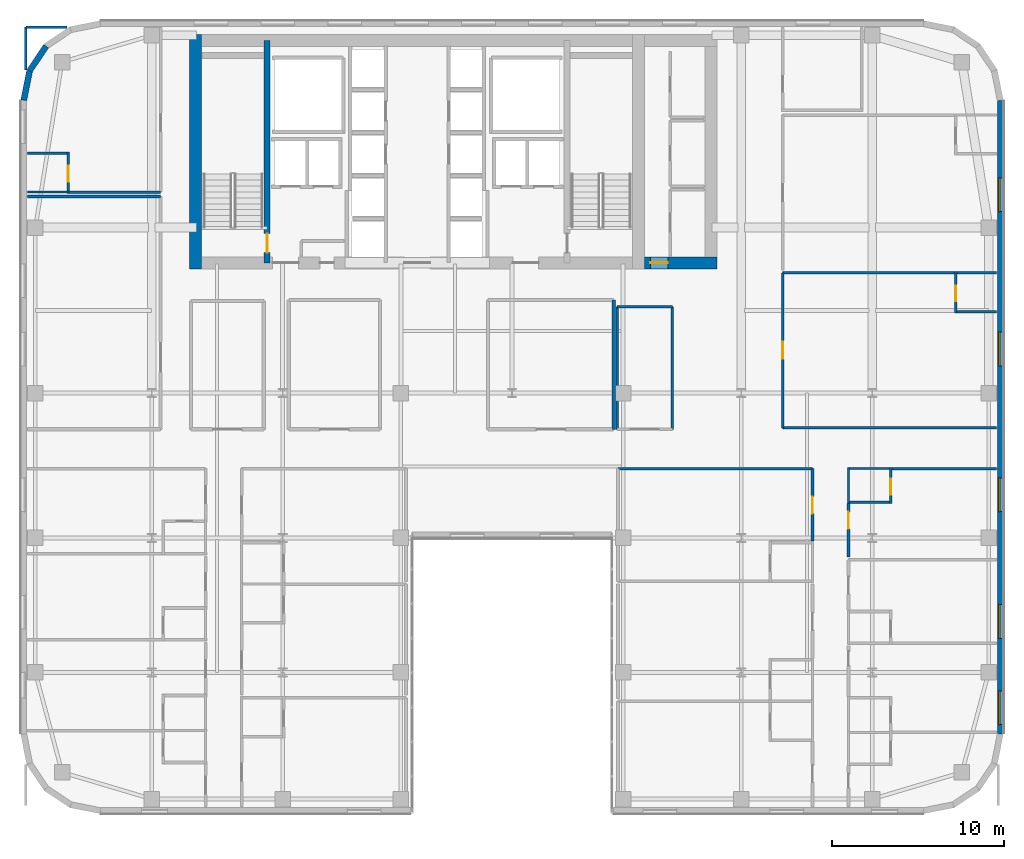
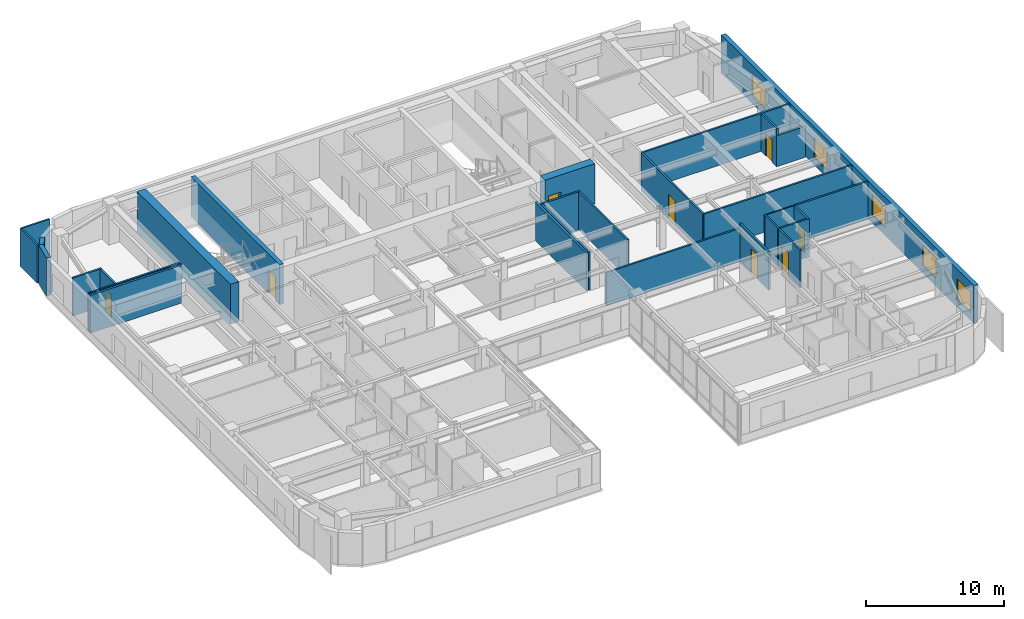
# One storey, part 17 of 25: 31 walls, 8 doors, 5 windows, 13 openings.
"""IFC4 building model written with IfcOpenShell, lengths in metres."""

from ifc_helpers import new_model, si_unit, direction, frame, frame_2d, origin, place, context, subcontext, project, spatial, rectangle, extrude, source, transform, mapped, material, layer, layer_set, type_object, type_shapes, element, fill, save


model = new_model("IFC4")

# Units and contexts
model_context = context("Model", 3, precision=1e-05, world=origin(), true_north=direction((0.0, 1.0)))
body_context = subcontext(model_context, "Body", "Model", "MODEL_VIEW")
ifc_project = project(units=[si_unit("LENGTHUNIT", "METRE"), si_unit("AREAUNIT", "SQUARE_METRE"), si_unit("VOLUMEUNIT", "CUBIC_METRE"), si_unit("PLANEANGLEUNIT", "RADIAN"), si_unit("MASSUNIT", "GRAM", prefix="KILO")], contexts=[model_context])

# Site, building, storey
site_placement = place(None, origin())
site = spatial("IfcSite", under=ifc_project, at=site_placement, CompositionType="ELEMENT")
building_placement = place(site_placement, origin())
building = spatial("IfcBuilding", under=site, at=building_placement, Name="Tolvann Quenvar Hotel", CompositionType="ELEMENT")
storey_placement = place(building_placement, frame((0.0, 0.0, 132.85009765625)))
storey = spatial("IfcBuildingStorey", under=building, at=storey_placement, Name="L34", CompositionType="ELEMENT", Elevation=132.85009765625)

# Wall
ifc_material_1 = material(Name="Concrete S65 (65 MPa)", Category="concrete")
ifc_layer_1 = layer(ifc_material_1, 0.699951171875)
ifc_layer_set_1 = layer_set([ifc_layer_1], Name="Concrete S65 (65 MPa)")
wall_type_1 = type_object("IfcWallType", Name="WALL_CORE_700", PredefinedType="SHEAR", material=ifc_layer_set_1)
wall_1_placement = place(storey_placement, frame((10.14990234375, 31.60009765625, 0.0), z_axis=(0.0, 0.0, 1.0), x_axis=(0.0, 1.0, 0.0)))
element("IfcWall", 1, at=wall_1_placement, inside=storey, type_object=wall_type_1, Name="Rear Core W Shear Wall (L34)", PredefinedType="SHEAR", context=body_context, shape_type="SweptSolid", body=[
    extrude(rectangle(XDim=13.599853515625, YDim=0.699951171875, at=frame_2d((6.7998046875, 0.0))), origin(), (0.0, 0.0, 1.0), 3.5498046875),
])

# Wall, opening, door
wall_2_placement = place(storey_placement, frame((36.199951171875, 31.949951171875, 0.0), z_axis=(0.0, 0.0, 1.0), x_axis=(1.0, 0.0, 0.0)))
wall_2 = element("IfcWall", 2, at=wall_2_placement, inside=storey, type_object=wall_type_1, Name="Core East Annex Shear Wall ANN-S (L34)", PredefinedType="SHEAR", context=body_context, shape_type="SweptSolid", body=[
    extrude(rectangle(XDim=4.199951171875, YDim=0.699951171875, at=frame_2d((2.10009765625, 0.0))), origin(), (0.0, 0.0, 1.0), 3.5498046875),
])
opening_1_placement = place(wall_2_placement, frame((1.340087890625, 0.0, 0.0), z_axis=(0.0, 0.0, 1.0), x_axis=(-1.0, 0.0, 0.0)))
opening_1 = element("IfcOpeningElement", 3, at=opening_1_placement, cuts=wall_2, Name="Opening HD-01", PredefinedType="OPENING", context=body_context, shape_type="SweptSolid", body=[
    extrude(rectangle(XDim=1.02001953125, YDim=2.030029296875, at=frame_2d((0.510009765625, 1.01513671875))), frame((0.0, 0.35986328125, 0.0), z_axis=(0.0, -1.0, 0.0), x_axis=(1.0, 0.0, 0.0)), (0.0, 0.0, 1.0), 0.719970703125),
])
ifc_material_2 = material(Name="Pressed galvanised steel fire-rated door set", Category="steel")
door_type_1 = type_object("IfcDoorType", Name="DOOR_BOH_1020", OperationType="NOTDEFINED", PredefinedType="DOOR", material=ifc_material_2)
shared_shape_1 = source(origin(), body_context, "Body", "SweptSolid", [
    extrude(rectangle(XDim=1.02001953125, YDim=2.030029296875, at=frame_2d((0.510009765625, 1.01513671875))), frame((0.0, 0.02490234375, 0.0), z_axis=(0.0, -1.0, 0.0), x_axis=(1.0, 0.0, 0.0)), (0.0, 0.0, 1.0), 0.050048828125),
])
type_shapes(door_type_1, [shared_shape_1])
door_1_placement = place(opening_1_placement, origin())
door_1 = element("IfcDoor", 4, at=door_1_placement, inside=storey, type_object=door_type_1, Name="Housekeeping Annex Fire Door (L34)", OperationType="SINGLE_SWING_RIGHT", OverallHeight=2.030029296875, OverallWidth=1.02001953125, PredefinedType="DOOR", context=body_context, shape_type="MappedRepresentation", body=[
    mapped(shared_shape_1, transform((0.0, 0.0, 0.0), x_axis=(1.0, 0.0, 0.0), y_axis=(0.0, 1.0, 0.0), z_axis=(0.0, 0.0, 1.0), scale=1.0)),
])
fill(opening_1, door_1)

ifc_layer_2 = layer(ifc_material_1, 0.35009765625)
ifc_layer_set_2 = layer_set([ifc_layer_2], Name="Concrete S65 (65 MPa)")
wall_type_2 = type_object("IfcWallType", Name="WALL_CORE_INT_350", PredefinedType="SHEAR", material=ifc_layer_set_2)
wall_3_placement = place(storey_placement, frame((14.300048828125, 31.949951171875, 0.0), z_axis=(0.0, 0.0, 1.0), x_axis=(0.0, 1.0, 0.0)))
wall_3 = element("IfcWall", 5, at=wall_3_placement, inside=storey, type_object=wall_type_2, Name="Core Internal Web Shear Wall WEB-W (L34)", PredefinedType="SHEAR", context=body_context, shape_type="SweptSolid", body=[
    extrude(rectangle(XDim=12.900146484375, YDim=0.35009765625, at=frame_2d((6.4501953125, 0.0))), origin(), (0.0, 0.0, 1.0), 3.5498046875),
])
opening_2_placement = place(wall_3_placement, frame((0.60009765625, 0.0, 0.0)))
opening_2 = element("IfcOpeningElement", 6, at=opening_2_placement, cuts=wall_3, Name="Opening FD-120", PredefinedType="OPENING", context=body_context, shape_type="SweptSolid", body=[
    extrude(rectangle(XDim=1.10009765625, YDim=2.1201171875, at=frame_2d((0.550048828125, 1.06005859375))), frame((0.0, 0.18505859375, 0.0), z_axis=(0.0, -1.0, 0.0), x_axis=(1.0, 0.0, 0.0)), (0.0, 0.0, 1.0), 0.3701171875),
])
door_type_2 = type_object("IfcDoorType", Name="DOOR_FIRE_STAIR_1100", OperationType="NOTDEFINED", PredefinedType="DOOR", material=ifc_material_2)
shared_shape_2 = source(origin(), body_context, "Body", "SweptSolid", [
    extrude(rectangle(XDim=1.10009765625, YDim=2.1201171875, at=frame_2d((0.550048828125, 1.06005859375))), frame((0.0, 0.02490234375, 0.0), z_axis=(0.0, -1.0, 0.0), x_axis=(1.0, 0.0, 0.0)), (0.0, 0.0, 1.0), 0.050048828125),
])
type_shapes(door_type_2, [shared_shape_2])
door_2_placement = place(opening_2_placement, origin())
door_2 = element("IfcDoor", 7, at=door_2_placement, inside=storey, type_object=door_type_2, Name="Exit Stair ST-C1 Fire Door (L34)", OperationType="SINGLE_SWING_LEFT", OverallHeight=2.1201171875, OverallWidth=1.10009765625, PredefinedType="DOOR", context=body_context, shape_type="MappedRepresentation", body=[
    mapped(shared_shape_2, transform((0.0, 0.0, 0.0), x_axis=(1.0, 0.0, 0.0), y_axis=(0.0, 1.0, 0.0), z_axis=(0.0, 0.0, 1.0), scale=1.0)),
])
fill(opening_2, door_2)

# Wall, openings, windows
ifc_material_3 = material(Name="Kiln-fired red and buff architectural clay brickwork and terracotta masonry", Category="masonry")
ifc_layer_3 = layer(ifc_material_3, 0.35009765625)
ifc_layer_set_3 = layer_set([ifc_layer_3], Name="Kiln-fired red and buff architectural clay brickwork and terracotta masonry")
wall_type_3 = type_object("IfcWallType", Name="WALL_EXT_BRICK_350", PredefinedType="SOLIDWALL", material=ifc_layer_set_3)
wall_4_placement = place(storey_placement, frame((56.824951171875, 4.6171875, 0.0), z_axis=(0.0, 0.0, 1.0), x_axis=(0.0, 1.0, 0.0)))
wall_4 = element("IfcWall", 8, at=wall_4_placement, inside=storey, type_object=wall_type_3, Name="Exterior Chicago Brick Wall L34-E13", PredefinedType="SOLIDWALL", context=body_context, shape_type="SweptSolid", body=[
    extrude(rectangle(XDim=36.765625, YDim=0.35009765625, at=frame_2d((18.3828125, 0.0))), origin(), (0.0, 0.0, 1.0), 3.369873046875),
])
opening_3_placement = place(wall_4_placement, frame((0.551025390625, 0.0, 0.679931640625)))
opening_3 = element("IfcOpeningElement", 9, at=opening_3_placement, cuts=wall_4, Name="Opening W-10", PredefinedType="OPENING", context=body_context, shape_type="SweptSolid", body=[
    extrude(rectangle(XDim=1.949951171875, YDim=1.820068359375, at=frame_2d((0.97509765625, 0.91015625))), frame((0.0, 0.18505859375, 0.0), z_axis=(0.0, -1.0, 0.0), x_axis=(1.0, 0.0, 0.0)), (0.0, 0.0, 1.0), 0.3701171875),
])
opening_4_placement = place(wall_4_placement, frame((5.552978515625, 0.0, 0.679931640625)))
opening_4 = element("IfcOpeningElement", 10, at=opening_4_placement, cuts=wall_4, Name="Opening W-10", PredefinedType="OPENING", context=body_context, shape_type="SweptSolid", body=[
    extrude(rectangle(XDim=1.949951171875, YDim=1.820068359375, at=frame_2d((0.97509765625, 0.91015625))), frame((0.0, 0.18505859375, 0.0), z_axis=(0.0, -1.0, 0.0), x_axis=(1.0, 0.0, 0.0)), (0.0, 0.0, 1.0), 0.3701171875),
])
opening_5_placement = place(wall_4_placement, frame((12.906005859375, 0.0, 0.679931640625)))
opening_5 = element("IfcOpeningElement", 11, at=opening_5_placement, cuts=wall_4, Name="Opening W-10", PredefinedType="OPENING", context=body_context, shape_type="SweptSolid", body=[
    extrude(rectangle(XDim=1.949951171875, YDim=1.820068359375, at=frame_2d((0.97509765625, 0.91015625))), frame((0.0, 0.18505859375, 0.0), z_axis=(0.0, -1.0, 0.0), x_axis=(1.0, 0.0, 0.0)), (0.0, 0.0, 1.0), 0.3701171875),
])
opening_6_placement = place(wall_4_placement, frame((21.360107421875, 0.0, 0.679931640625)))
opening_6 = element("IfcOpeningElement", 12, at=opening_6_placement, cuts=wall_4, Name="Opening W-10", PredefinedType="OPENING", context=body_context, shape_type="SweptSolid", body=[
    extrude(rectangle(XDim=1.949951171875, YDim=1.820068359375, at=frame_2d((0.97509765625, 0.91015625))), frame((0.0, 0.18505859375, 0.0), z_axis=(0.0, -1.0, 0.0), x_axis=(1.0, 0.0, 0.0)), (0.0, 0.0, 1.0), 0.3701171875),
])
opening_7_placement = place(wall_4_placement, frame((30.31298828125, 0.0, 0.679931640625)))
opening_7 = element("IfcOpeningElement", 13, at=opening_7_placement, cuts=wall_4, Name="Opening W-10", PredefinedType="OPENING", context=body_context, shape_type="SweptSolid", body=[
    extrude(rectangle(XDim=1.949951171875, YDim=1.820068359375, at=frame_2d((0.97509765625, 0.91015625))), frame((0.0, 0.18505859375, 0.0), z_axis=(0.0, -1.0, 0.0), x_axis=(1.0, 0.0, 0.0)), (0.0, 0.0, 1.0), 0.3701171875),
])
ifc_material_4 = material(Name="Thermally broken bronze-anodised aluminium frame with double low-E glazing", Category="aluminium")
window_type = type_object("IfcWindowType", Name="WIN_CLB_1950x1850", PartitioningType="DOUBLE_PANEL_VERTICAL", PredefinedType="WINDOW", material=ifc_material_4)
shared_shape_3 = source(origin(), body_context, "Body", "SweptSolid", [
    extrude(rectangle(XDim=1.949951171875, YDim=1.820068359375, at=frame_2d((0.97509765625, 0.91015625))), frame((0.0, 0.090087890625, 0.0), z_axis=(0.0, -1.0, 0.0), x_axis=(1.0, 0.0, 0.0)), (0.0, 0.0, 1.0), 0.06005859375),
])
type_shapes(window_type, [shared_shape_3])
window_1_placement = place(opening_3_placement, origin())
window_1 = element("IfcWindow", 14, at=window_1_placement, inside=storey, type_object=window_type, Name="Chicago Window W-10 (EW-L34-E13-W01)", OverallHeight=1.820068359375, OverallWidth=1.949951171875, PartitioningType="DOUBLE_PANEL_VERTICAL", PredefinedType="WINDOW", context=body_context, shape_type="MappedRepresentation", body=[
    mapped(shared_shape_3, transform((0.0, 0.0, 0.0), x_axis=(1.0, 0.0, 0.0), y_axis=(0.0, 1.0, 0.0), z_axis=(0.0, 0.0, 1.0), scale=1.0)),
])
fill(opening_3, window_1)
window_2_placement = place(opening_4_placement, origin())
window_2 = element("IfcWindow", 15, at=window_2_placement, inside=storey, type_object=window_type, Name="Chicago Window W-10 (EW-L34-E13-W02)", OverallHeight=1.820068359375, OverallWidth=1.949951171875, PartitioningType="DOUBLE_PANEL_VERTICAL", PredefinedType="WINDOW", context=body_context, shape_type="MappedRepresentation", body=[
    mapped(shared_shape_3, transform((0.0, 0.0, 0.0), x_axis=(1.0, 0.0, 0.0), y_axis=(0.0, 1.0, 0.0), z_axis=(0.0, 0.0, 1.0), scale=1.0)),
])
fill(opening_4, window_2)
window_3_placement = place(opening_5_placement, origin())
window_3 = element("IfcWindow", 16, at=window_3_placement, inside=storey, type_object=window_type, Name="Chicago Window W-10 (EW-L34-E13-W03)", OverallHeight=1.820068359375, OverallWidth=1.949951171875, PartitioningType="DOUBLE_PANEL_VERTICAL", PredefinedType="WINDOW", context=body_context, shape_type="MappedRepresentation", body=[
    mapped(shared_shape_3, transform((0.0, 0.0, 0.0), x_axis=(1.0, 0.0, 0.0), y_axis=(0.0, 1.0, 0.0), z_axis=(0.0, 0.0, 1.0), scale=1.0)),
])
fill(opening_5, window_3)
window_4_placement = place(opening_6_placement, origin())
window_4 = element("IfcWindow", 17, at=window_4_placement, inside=storey, type_object=window_type, Name="Chicago Window W-10 (EW-L34-E13-W04)", OverallHeight=1.820068359375, OverallWidth=1.949951171875, PartitioningType="DOUBLE_PANEL_VERTICAL", PredefinedType="WINDOW", context=body_context, shape_type="MappedRepresentation", body=[
    mapped(shared_shape_3, transform((0.0, 0.0, 0.0), x_axis=(1.0, 0.0, 0.0), y_axis=(0.0, 1.0, 0.0), z_axis=(0.0, 0.0, 1.0), scale=1.0)),
])
fill(opening_6, window_4)
window_5_placement = place(opening_7_placement, origin())
window_5 = element("IfcWindow", 18, at=window_5_placement, inside=storey, type_object=window_type, Name="Chicago Window W-10 (EW-L34-E13-W05)", OverallHeight=1.820068359375, OverallWidth=1.949951171875, PartitioningType="DOUBLE_PANEL_VERTICAL", PredefinedType="WINDOW", context=body_context, shape_type="MappedRepresentation", body=[
    mapped(shared_shape_3, transform((0.0, 0.0, 0.0), x_axis=(1.0, 0.0, 0.0), y_axis=(0.0, 1.0, 0.0), z_axis=(0.0, 0.0, 1.0), scale=1.0)),
])
fill(opening_7, window_5)

# Walls
wall_5_placement = place(storey_placement, frame((1.473388671875, 44.526611328125, 0.0), z_axis=(0.0, 0.0, 1.0), x_axis=(-0.55554893791, -0.831483840845, 0.0)))
element("IfcWall", 19, at=wall_5_placement, inside=storey, type_object=wall_type_3, Name="Exterior Chicago Brick Wall L34-E21", PredefinedType="SOLIDWALL", context=body_context, shape_type="SweptSolid", body=[
    extrude(rectangle(XDim=1.725341796875, YDim=0.35009765625, at=frame_2d((0.86279296875, 0.0))), origin(), (0.0, 0.0, 1.0), 2.831787109375),
])
wall_6_placement = place(storey_placement, frame((0.514892578125, 43.092041015625, 0.0), z_axis=(0.0, 0.0, 1.0), x_axis=(-0.195011420161, -0.980800971659, 0.0)))
element("IfcWall", 20, at=wall_6_placement, inside=storey, type_object=wall_type_3, Name="Exterior Chicago Brick Wall L34-E22", PredefinedType="SOLIDWALL", context=body_context, shape_type="SweptSolid", body=[
    extrude(rectangle(XDim=1.74267578125, YDim=0.35009765625, at=frame_2d((0.871337890625, 0.0))), origin(), (0.0, 0.0, 1.0), 3.369873046875),
])
ifc_material_5 = material(Name="Acoustic twin-stud fire-rated gypsum plasterboard partition")
ifc_layer_4 = layer(ifc_material_5, 0.179931640625)
ifc_layer_set_4 = layer_set([ifc_layer_4], Name="Acoustic twin-stud fire-rated gypsum plasterboard partition")
wall_type_4 = type_object("IfcWallType", Name="WALL_PART_ACOUSTIC_180", PredefinedType="PARTITIONING", material=ifc_layer_set_4)
wall_7_placement = place(storey_placement, frame((0.405029296875, 35.800048828125, 0.0), z_axis=(0.0, 0.0, 1.0), x_axis=(1.0, 0.0, 0.0)))
element("IfcWall", 21, at=wall_7_placement, inside=storey, type_object=wall_type_4, Name="Interior Partition PT-SPC-L34-SAL-N", PredefinedType="PARTITIONING", context=body_context, shape_type="SweptSolid", body=[
    extrude(rectangle(XDim=7.715087890625, YDim=0.179931640625, at=frame_2d((3.857421875, 0.0))), origin(), (0.0, 0.0, 1.0), 3.369873046875),
])
wall_8_placement = place(storey_placement, frame((34.39990234375, 22.300048828125, 0.0), z_axis=(0.0, 0.0, 1.0), x_axis=(0.0, 1.0, 0.0)))
element("IfcWall", 22, at=wall_8_placement, inside=storey, type_object=wall_type_4, Name="Interior Partition PT-SPC-L34-MSP-C-E", PredefinedType="PARTITIONING", context=body_context, shape_type="SweptSolid", body=[
    extrude(rectangle(XDim=7.5, YDim=0.179931640625, at=frame_2d((3.75, 0.0))), origin(), (0.0, 0.0, 1.0), 3.369873046875),
])
ifc_material_6 = material(Name="Moisture-resistant acoustic plumbing wall assembly")
ifc_layer_5 = layer(ifc_material_6, 0.1201171875)
ifc_layer_set_5 = layer_set([ifc_layer_5], Name="Moisture-resistant acoustic plumbing wall assembly")
wall_type_5 = type_object("IfcWallType", Name="WALL_PART_BATH_120", PredefinedType="PLUMBINGWALL", material=ifc_layer_set_5)
wall_9_placement = place(storey_placement, frame((47.949951171875, 20.02001953125, 0.0), z_axis=(0.0, 0.0, 1.0), x_axis=(1.0, 0.0, 0.0)))
element("IfcWall", 23, at=wall_9_placement, inside=storey, type_object=wall_type_5, Name="Non-Rated Plumbing Partition PT-SPC-L34-ENS-EO04-N", PredefinedType="PLUMBINGWALL", context=body_context, shape_type="SweptSolid", body=[
    extrude(rectangle(XDim=2.590087890625, YDim=0.1201171875, at=frame_2d((1.294921875, 0.0))), origin(), (0.0, 0.0, 1.0), 3.369873046875),
])
wall_10_placement = place(storey_placement, frame((48.02001953125, 17.9970703125, 0.0), z_axis=(0.0, 0.0, 1.0), x_axis=(0.0, 1.0, 0.0)))
element("IfcWall", 24, at=wall_10_placement, inside=storey, type_object=wall_type_5, Name="Non-Rated Plumbing Partition PT-SPC-L34-ENS-EO04-W", PredefinedType="PLUMBINGWALL", context=body_context, shape_type="SweptSolid", body=[
    extrude(rectangle(XDim=2.093017578125, YDim=0.1201171875, at=frame_2d((1.04638671875, 0.0))), origin(), (0.0, 0.0, 1.0), 3.369873046875),
])
wall_11_placement = place(storey_placement, frame((0.405029296875, 36.06005859375, 0.0), z_axis=(0.0, 0.0, 1.0), x_axis=(1.0, 0.0, 0.0)))
element("IfcWall", 25, at=wall_11_placement, inside=storey, type_object=wall_type_5, Name="Non-Rated Plumbing Partition PT-SPC-L34-ENS-NW01-S", PredefinedType="PLUMBINGWALL", context=body_context, shape_type="SweptSolid", body=[
    extrude(rectangle(XDim=2.4150390625, YDim=0.1201171875, at=frame_2d((1.20751953125, 0.0))), origin(), (0.0, 0.0, 1.0), 3.369873046875),
])

# Wall, opening, door
ifc_layer_6 = layer(ifc_material_5, 0.14990234375)
ifc_layer_set_6 = layer_set([ifc_layer_6], Name="Acoustic twin-stud fire-rated gypsum plasterboard partition")
wall_type_6 = type_object("IfcWallType", Name="WALL_PART_SUITE_150", PredefinedType="PARTITIONING", material=ifc_layer_set_6)
wall_12_placement = place(storey_placement, frame((50.469970703125, 17.9970703125, 0.0), z_axis=(0.0, 0.0, 1.0), x_axis=(0.0, 1.0, 0.0)))
wall_12 = element("IfcWall", 26, at=wall_12_placement, inside=storey, type_object=wall_type_6, Name="Interior Partition PT-SPC-L34-ENS-EO04-ENT", PredefinedType="PARTITIONING", context=body_context, shape_type="SweptSolid", body=[
    extrude(rectangle(XDim=2.093017578125, YDim=0.14990234375, at=frame_2d((1.04638671875, 0.0))), origin(), (0.0, 0.0, 1.0), 3.369873046875),
])
opening_8_placement = place(wall_12_placement, frame((0.5166015625, 0.0, 0.0)))
opening_8 = element("IfcOpeningElement", 27, at=opening_8_placement, cuts=wall_12, Name="Opening WD-01", PredefinedType="OPENING", context=body_context, shape_type="SweptSolid", body=[
    extrude(rectangle(XDim=0.919921875, YDim=2.010009765625, at=frame_2d((0.4599609375, 1.0048828125))), frame((0.0, 0.0849609375, 0.0), z_axis=(0.0, -1.0, 0.0), x_axis=(1.0, 0.0, 0.0)), (0.0, 0.0, 1.0), 0.169921875),
])
ifc_material_7 = material(Name="Solid-core American oak acoustic fire door leaf in steel frame", Category="steel")
door_type_3 = type_object("IfcDoorType", Name="DOOR_WC_920", OperationType="NOTDEFINED", PredefinedType="DOOR", material=ifc_material_7)
shared_shape_4 = source(origin(), body_context, "Body", "SweptSolid", [
    extrude(rectangle(XDim=0.919921875, YDim=2.010009765625, at=frame_2d((0.4599609375, 1.0048828125))), frame((0.0, 0.02490234375, 0.0), z_axis=(0.0, -1.0, 0.0), x_axis=(1.0, 0.0, 0.0)), (0.0, 0.0, 1.0), 0.050048828125),
])
type_shapes(door_type_3, [shared_shape_4])
door_3_placement = place(opening_8_placement, origin())
door_3 = element("IfcDoor", 28, at=door_3_placement, inside=storey, type_object=door_type_3, Name="Interior Door DOOR-SPC-L34-ENS-EO04", OperationType="SINGLE_SWING_RIGHT", OverallHeight=2.010009765625, OverallWidth=0.919921875, PredefinedType="DOOR", context=body_context, shape_type="MappedRepresentation", body=[
    mapped(shared_shape_4, transform((0.0, 0.0, 0.0), x_axis=(1.0, 0.0, 0.0), y_axis=(0.0, 1.0, 0.0), z_axis=(0.0, 0.0, 1.0), scale=1.0)),
])
fill(opening_8, door_3)

# Wall
wall_13_placement = place(storey_placement, frame((47.949951171875, 18.06689453125, 0.0), z_axis=(0.0, 0.0, 1.0), x_axis=(1.0, 0.0, 0.0)))
element("IfcWall", 29, at=wall_13_placement, inside=storey, type_object=wall_type_6, Name="Interior Partition PT-SPC-L34-ENS-EO04-S", PredefinedType="PARTITIONING", context=body_context, shape_type="SweptSolid", body=[
    extrude(rectangle(XDim=2.590087890625, YDim=0.14990234375, at=frame_2d((1.294921875, 0.0))), origin(), (0.0, 0.0, 1.0), 3.369873046875),
])

# Wall, opening, door
wall_14_placement = place(storey_placement, frame((2.75, 35.989990234375, 0.0), z_axis=(0.0, 0.0, 1.0), x_axis=(0.0, 1.0, 0.0)))
wall_14 = element("IfcWall", 30, at=wall_14_placement, inside=storey, type_object=wall_type_6, Name="Interior Partition PT-SPC-L34-ENS-NW01-ENT", PredefinedType="PARTITIONING", context=body_context, shape_type="SweptSolid", body=[
    extrude(rectangle(XDim=2.389892578125, YDim=0.14990234375, at=frame_2d((1.19482421875, 0.0))), origin(), (0.0, 0.0, 1.0), 3.369873046875),
])
opening_9_placement = place(wall_14_placement, frame((0.6650390625, 0.0, 0.0)))
opening_9 = element("IfcOpeningElement", 31, at=opening_9_placement, cuts=wall_14, Name="Opening WD-01", PredefinedType="OPENING", context=body_context, shape_type="SweptSolid", body=[
    extrude(rectangle(XDim=0.919921875, YDim=2.010009765625, at=frame_2d((0.4599609375, 1.0048828125))), frame((0.0, 0.0849609375, 0.0), z_axis=(0.0, -1.0, 0.0), x_axis=(1.0, 0.0, 0.0)), (0.0, 0.0, 1.0), 0.169921875),
])
door_4_placement = place(opening_9_placement, origin())
door_4 = element("IfcDoor", 32, at=door_4_placement, inside=storey, type_object=door_type_3, Name="Interior Door DOOR-SPC-L34-ENS-NW01", OperationType="SINGLE_SWING_LEFT", OverallHeight=2.010009765625, OverallWidth=0.919921875, PredefinedType="DOOR", context=body_context, shape_type="MappedRepresentation", body=[
    mapped(shared_shape_4, transform((0.0, 0.0, 0.0), x_axis=(1.0, 0.0, 0.0), y_axis=(0.0, 1.0, 0.0), z_axis=(0.0, 0.0, 1.0), scale=1.0)),
])
fill(opening_9, door_4)

# Wall
wall_15_placement = place(storey_placement, frame((0.405029296875, 38.31005859375, 0.0), z_axis=(0.0, 0.0, 1.0), x_axis=(1.0, 0.0, 0.0)))
element("IfcWall", 33, at=wall_15_placement, inside=storey, type_object=wall_type_6, Name="Interior Partition PT-SPC-L34-ENS-NW01-N", PredefinedType="PARTITIONING", context=body_context, shape_type="SweptSolid", body=[
    extrude(rectangle(XDim=2.4150390625, YDim=0.14990234375, at=frame_2d((1.20751953125, 0.0))), origin(), (0.0, 0.0, 1.0), 3.369873046875),
])

# Wall, opening, door
wall_16_placement = place(storey_placement, frame((54.25, 29.050048828125, 0.0), z_axis=(0.0, 0.0, 1.0), x_axis=(0.0, 1.0, 0.0)))
wall_16 = element("IfcWall", 34, at=wall_16_placement, inside=storey, type_object=wall_type_6, Name="Interior Partition PT-SPC-L34-ENS-NE01-ENT", PredefinedType="PARTITIONING", context=body_context, shape_type="SweptSolid", body=[
    extrude(rectangle(XDim=2.389892578125, YDim=0.14990234375, at=frame_2d((1.19482421875, 0.0))), origin(), (0.0, 0.0, 1.0), 3.369873046875),
])
opening_10_placement = place(wall_16_placement, frame((0.6650390625, 0.0, 0.0)))
opening_10 = element("IfcOpeningElement", 35, at=opening_10_placement, cuts=wall_16, Name="Opening WD-01", PredefinedType="OPENING", context=body_context, shape_type="SweptSolid", body=[
    extrude(rectangle(XDim=0.919921875, YDim=2.010009765625, at=frame_2d((0.4599609375, 1.0048828125))), frame((0.0, 0.0849609375, 0.0), z_axis=(0.0, -1.0, 0.0), x_axis=(1.0, 0.0, 0.0)), (0.0, 0.0, 1.0), 0.169921875),
])
door_5_placement = place(opening_10_placement, origin())
door_5 = element("IfcDoor", 36, at=door_5_placement, inside=storey, type_object=door_type_3, Name="Interior Door DOOR-SPC-L34-ENS-NE01", OperationType="SINGLE_SWING_RIGHT", OverallHeight=2.010009765625, OverallWidth=0.919921875, PredefinedType="DOOR", context=body_context, shape_type="MappedRepresentation", body=[
    mapped(shared_shape_4, transform((0.0, 0.0, 0.0), x_axis=(1.0, 0.0, 0.0), y_axis=(0.0, 1.0, 0.0), z_axis=(0.0, 0.0, 1.0), scale=1.0)),
])
fill(opening_10, door_5)

# Walls
wall_17_placement = place(storey_placement, frame((54.179931640625, 29.1201171875, 0.0), z_axis=(0.0, 0.0, 1.0), x_axis=(1.0, 0.0, 0.0)))
element("IfcWall", 37, at=wall_17_placement, inside=storey, type_object=wall_type_6, Name="Interior Partition PT-SPC-L34-ENS-NE01-S", PredefinedType="PARTITIONING", context=body_context, shape_type="SweptSolid", body=[
    extrude(rectangle(XDim=2.4150390625, YDim=0.14990234375, at=frame_2d((1.20751953125, 0.0))), origin(), (0.0, 0.0, 1.0), 2.747802734375),
])
wall_18_placement = place(storey_placement, frame((54.179931640625, 31.3701171875, 0.0), z_axis=(0.0, 0.0, 1.0), x_axis=(1.0, 0.0, 0.0)))
element("IfcWall", 38, at=wall_18_placement, inside=storey, type_object=wall_type_6, Name="Interior Partition PT-SPC-L34-ENS-NE01-N", PredefinedType="PARTITIONING", context=body_context, shape_type="SweptSolid", body=[
    extrude(rectangle(XDim=2.4150390625, YDim=0.14990234375, at=frame_2d((1.20751953125, 0.0))), origin(), (0.0, 0.0, 1.0), 3.369873046875),
])

# Wall, opening, door
wall_19_placement = place(storey_placement, frame((45.929931640625, 15.81005859375, 0.0), z_axis=(0.0, 0.0, 1.0), x_axis=(0.0, 1.0, 0.0)))
wall_19 = element("IfcWall", 39, at=wall_19_placement, inside=storey, type_object=wall_type_6, Name="Interior Partition PT-SPC-L34-RM-EI03-ENT", PredefinedType="PARTITIONING", context=body_context, shape_type="SweptSolid", body=[
    extrude(rectangle(XDim=4.2099609375, YDim=0.14990234375, at=frame_2d((2.10498046875, 0.0))), origin(), (0.0, 0.0, 1.0), 3.369873046875),
])
opening_11_placement = place(wall_19_placement, frame((1.594970703125, 0.0, 0.0)))
opening_11 = element("IfcOpeningElement", 40, at=opening_11_placement, cuts=wall_19, Name="Opening SD-01", PredefinedType="OPENING", context=body_context, shape_type="SweptSolid", body=[
    extrude(rectangle(XDim=0.97998046875, YDim=2.1201171875, at=frame_2d((0.489990234375, 1.06005859375))), frame((0.0, 0.0849609375, 0.0), z_axis=(0.0, -1.0, 0.0), x_axis=(1.0, 0.0, 0.0)), (0.0, 0.0, 1.0), 0.169921875),
])
door_type_4 = type_object("IfcDoorType", Name="DOOR_SUITE_980", OperationType="NOTDEFINED", PredefinedType="DOOR", material=ifc_material_7)
shared_shape_5 = source(origin(), body_context, "Body", "SweptSolid", [
    extrude(rectangle(XDim=0.97998046875, YDim=2.1201171875, at=frame_2d((0.489990234375, 1.06005859375))), frame((0.0, 0.02490234375, 0.0), z_axis=(0.0, -1.0, 0.0), x_axis=(1.0, 0.0, 0.0)), (0.0, 0.0, 1.0), 0.050048828125),
])
type_shapes(door_type_4, [shared_shape_5])
door_6_placement = place(opening_11_placement, origin())
door_6 = element("IfcDoor", 41, at=door_6_placement, inside=storey, type_object=door_type_4, Name="Interior Door DOOR-SPC-L34-RM-EI03", OperationType="SINGLE_SWING_RIGHT", OverallHeight=2.1201171875, OverallWidth=0.97998046875, PredefinedType="DOOR", context=body_context, shape_type="MappedRepresentation", body=[
    mapped(shared_shape_5, transform((0.0, 0.0, 0.0), x_axis=(1.0, 0.0, 0.0), y_axis=(0.0, 1.0, 0.0), z_axis=(0.0, 0.0, 1.0), scale=1.0)),
])
fill(opening_11, door_6)

# Wall
wall_20_placement = place(storey_placement, frame((34.64990234375, 20.02001953125, 0.0), z_axis=(0.0, 0.0, 1.0), x_axis=(1.0, 0.0, 0.0)))
element("IfcWall", 42, at=wall_20_placement, inside=storey, type_object=wall_type_6, Name="Interior Partition PT-SPC-L34-RM-EI03-E5", PredefinedType="PARTITIONING", context=body_context, shape_type="SweptSolid", body=[
    extrude(rectangle(XDim=11.280029296875, YDim=0.14990234375, at=frame_2d((5.64013671875, 0.0))), origin(), (0.0, 0.0, 1.0), 2.953857421875),
])

# Wall, opening, door
wall_21_placement = place(storey_placement, frame((48.02001953125, 14.8798828125, 0.0), z_axis=(0.0, 0.0, 1.0), x_axis=(0.0, 1.0, 0.0)))
wall_21 = element("IfcWall", 43, at=wall_21_placement, inside=storey, type_object=wall_type_6, Name="Interior Partition PT-SPC-L34-RM-EO04-ENT", PredefinedType="PARTITIONING", context=body_context, shape_type="SweptSolid", body=[
    extrude(rectangle(XDim=3.107177734375, YDim=0.14990234375, at=frame_2d((1.5537109375, 0.0))), origin(), (0.0, 0.0, 1.0), 3.369873046875),
])
opening_12_placement = place(wall_21_placement, frame((1.6435546875, 0.0, 0.0)))
opening_12 = element("IfcOpeningElement", 44, at=opening_12_placement, cuts=wall_21, Name="Opening SD-01", PredefinedType="OPENING", context=body_context, shape_type="SweptSolid", body=[
    extrude(rectangle(XDim=0.97998046875, YDim=2.1201171875, at=frame_2d((0.489990234375, 1.06005859375))), frame((0.0, 0.0849609375, 0.0), z_axis=(0.0, -1.0, 0.0), x_axis=(1.0, 0.0, 0.0)), (0.0, 0.0, 1.0), 0.169921875),
])
door_7_placement = place(opening_12_placement, origin())
door_7 = element("IfcDoor", 45, at=door_7_placement, inside=storey, type_object=door_type_4, Name="Interior Door DOOR-SPC-L34-RM-EO04", OperationType="SINGLE_SWING_RIGHT", OverallHeight=2.1201171875, OverallWidth=0.97998046875, PredefinedType="DOOR", context=body_context, shape_type="MappedRepresentation", body=[
    mapped(shared_shape_5, transform((0.0, 0.0, 0.0), x_axis=(1.0, 0.0, 0.0), y_axis=(0.0, 1.0, 0.0), z_axis=(0.0, 0.0, 1.0), scale=1.0)),
])
fill(opening_12, door_7)

# Walls
wall_22_placement = place(storey_placement, frame((50.489990234375, 20.02001953125, 0.0), z_axis=(0.0, 0.0, 1.0), x_axis=(1.0, 0.0, 0.0)))
element("IfcWall", 46, at=wall_22_placement, inside=storey, type_object=wall_type_6, Name="Interior Partition PT-SPC-L34-RM-EO04-E3", PredefinedType="PARTITIONING", context=body_context, shape_type="SweptSolid", body=[
    extrude(rectangle(XDim=6.10498046875, YDim=0.14990234375, at=frame_2d((3.052490234375, 0.0))), origin(), (0.0, 0.0, 1.0), 3.369873046875),
])
wall_23_placement = place(storey_placement, frame((2.77001953125, 36.06005859375, 0.0), z_axis=(0.0, 0.0, 1.0), x_axis=(1.0, 0.0, 0.0)))
element("IfcWall", 47, at=wall_23_placement, inside=storey, type_object=wall_type_6, Name="Interior Partition PT-SPC-L34-RM-NW01-E3", PredefinedType="PARTITIONING", context=body_context, shape_type="SweptSolid", body=[
    extrude(rectangle(XDim=5.35009765625, YDim=0.14990234375, at=frame_2d((2.675048828125, 0.0))), origin(), (0.0, 0.0, 1.0), 3.369873046875),
])
wall_24_placement = place(storey_placement, frame((0.300048828125, 45.6201171875, 0.0), z_axis=(0.0, 0.0, 1.0), x_axis=(1.0, 0.0, 0.0)))
element("IfcWall", 48, at=wall_24_placement, inside=storey, type_object=wall_type_6, Name="Interior Partition PT-SPC-L34-RM-NW01-E5", PredefinedType="PARTITIONING", context=body_context, shape_type="SweptSolid", body=[
    extrude(rectangle(XDim=2.39599609375, YDim=0.14990234375, at=frame_2d((1.197998046875, 0.0))), origin(), (0.0, 0.0, 1.0), 3.369873046875),
])
wall_25_placement = place(storey_placement, frame((0.300048828125, 43.135009765625, 0.0), z_axis=(0.0, 0.0, 1.0), x_axis=(0.0, 1.0, 0.0)))
element("IfcWall", 49, at=wall_25_placement, inside=storey, type_object=wall_type_6, Name="Interior Partition PT-SPC-L34-RM-NW01-E6", PredefinedType="PARTITIONING", context=body_context, shape_type="SweptSolid", body=[
    extrude(rectangle(XDim=2.485107421875, YDim=0.14990234375, at=frame_2d((1.24267578125, 0.0))), origin(), (0.0, 0.0, 1.0), 3.369873046875),
])

# Wall, opening, door
wall_26_placement = place(storey_placement, frame((44.199951171875, 22.3798828125, 0.0), z_axis=(0.0, 0.0, 1.0), x_axis=(0.0, 1.0, 0.0)))
wall_26 = element("IfcWall", 50, at=wall_26_placement, inside=storey, type_object=wall_type_6, Name="Interior Partition PT-SPC-L34-RM-NE01-ENT", PredefinedType="PARTITIONING", context=body_context, shape_type="SweptSolid", body=[
    extrude(rectangle(XDim=8.990234375, YDim=0.14990234375, at=frame_2d((4.4951171875, 0.0))), origin(), (0.0, 0.0, 1.0), 3.369873046875),
])
opening_13_placement = place(wall_26_placement, frame((4.0048828125, 0.0, 0.0)))
opening_13 = element("IfcOpeningElement", 51, at=opening_13_placement, cuts=wall_26, Name="Opening SD-01", PredefinedType="OPENING", context=body_context, shape_type="SweptSolid", body=[
    extrude(rectangle(XDim=0.97998046875, YDim=2.1201171875, at=frame_2d((0.489990234375, 1.06005859375))), frame((0.0, 0.0849609375, 0.0), z_axis=(0.0, -1.0, 0.0), x_axis=(1.0, 0.0, 0.0)), (0.0, 0.0, 1.0), 0.169921875),
])
door_8_placement = place(opening_13_placement, origin())
door_8 = element("IfcDoor", 52, at=door_8_placement, inside=storey, type_object=door_type_4, Name="Interior Door DOOR-SPC-L34-RM-NE01", OperationType="SINGLE_SWING_RIGHT", OverallHeight=2.1201171875, OverallWidth=0.97998046875, PredefinedType="DOOR", context=body_context, shape_type="MappedRepresentation", body=[
    mapped(shared_shape_5, transform((0.0, 0.0, 0.0), x_axis=(1.0, 0.0, 0.0), y_axis=(0.0, 1.0, 0.0), z_axis=(0.0, 0.0, 1.0), scale=1.0)),
])
fill(opening_13, door_8)

# Walls
wall_27_placement = place(storey_placement, frame((44.199951171875, 22.3798828125, 0.0), z_axis=(0.0, 0.0, 1.0), x_axis=(1.0, 0.0, 0.0)))
element("IfcWall", 53, at=wall_27_placement, inside=storey, type_object=wall_type_6, Name="Interior Partition PT-SPC-L34-RM-NE01-E1", PredefinedType="PARTITIONING", context=body_context, shape_type="SweptSolid", body=[
    extrude(rectangle(XDim=12.39501953125, YDim=0.14990234375, at=frame_2d((6.197509765625, 0.0))), origin(), (0.0, 0.0, 1.0), 3.369873046875),
])
wall_28_placement = place(storey_placement, frame((44.199951171875, 31.3701171875, 0.0), z_axis=(0.0, 0.0, 1.0), x_axis=(1.0, 0.0, 0.0)))
element("IfcWall", 54, at=wall_28_placement, inside=storey, type_object=wall_type_6, Name="Interior Partition PT-SPC-L34-RM-NE01-E5", PredefinedType="PARTITIONING", context=body_context, shape_type="SweptSolid", body=[
    extrude(rectangle(XDim=10.030029296875, YDim=0.14990234375, at=frame_2d((5.01513671875, 0.0))), origin(), (0.0, 0.0, 1.0), 3.369873046875),
])
wall_29_placement = place(storey_placement, frame((34.60009765625, 29.39990234375, 0.0), z_axis=(0.0, 0.0, 1.0), x_axis=(1.0, 0.0, 0.0)))
element("IfcWall", 55, at=wall_29_placement, inside=storey, type_object=wall_type_6, Name="Interior Partition PT-SPC-L34-MSP-E-N", PredefinedType="PARTITIONING", context=body_context, shape_type="SweptSolid", body=[
    extrude(rectangle(XDim=3.199951171875, YDim=0.14990234375, at=frame_2d((1.60009765625, 0.0))), origin(), (0.0, 0.0, 1.0), 3.369873046875),
])
for number, where, z_axis, x_axis, name in (
    (56, (34.60009765625, 22.300048828125, 0.0), (0.0, 0.0, 1.0), (0.0, 1.0, 0.0), "Interior Partition PT-SPC-L34-MSP-E-W"),
    (57, (37.800048828125, 22.300048828125, 0.0), (0.0, 0.0, 1.0), (0.0, 1.0, 0.0), "Interior Partition PT-SPC-L34-MSP-E-E"),
):
    element("IfcWall", number, at=place(storey_placement, frame(where, z_axis=z_axis, x_axis=x_axis)), inside=storey, type_object=wall_type_6, Name=name, PredefinedType="PARTITIONING", context=body_context, shape_type="SweptSolid", body=[
        extrude(rectangle(XDim=7.099853515625, YDim=0.14990234375, at=frame_2d((3.5498046875, 0.0))), origin(), (0.0, 0.0, 1.0), 3.369873046875),
    ])

save(model, "model.ifc")
